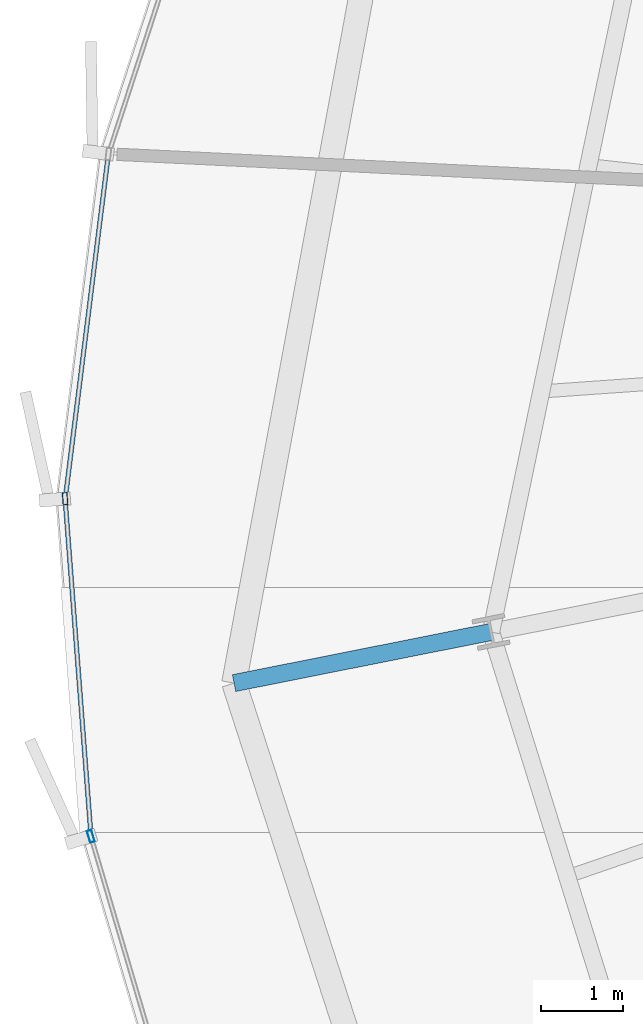
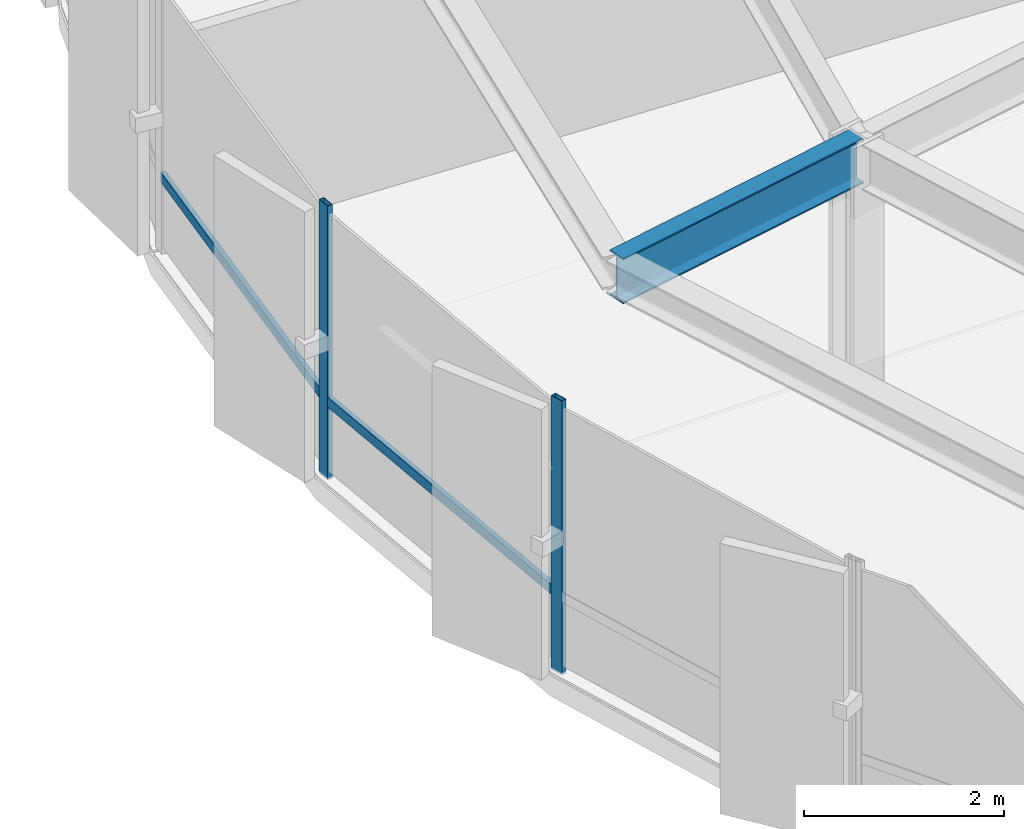
# One storey, part 7 of 34: 4 members, 1 beam, 1 element without a shape of its own.
"""IFC4 building model written with IfcOpenShell, lengths in metres."""

from ifc_helpers import new_model, si_unit, direction, frame, origin, origin_2d, place, context, subcontext, project, spatial, hollow_rectangle, i_section, extrude, source, transform, mapped, material, layer, layer_set, material_profile, profile_set, type_object, element, aggregate, save


model = new_model("IFC4")

# Units and contexts
model_context = context("Model", 3, precision=1e-05, world=origin(), true_north=direction((0.0, 1.0)))
body_context = subcontext(model_context, "Body", "Model", "MODEL_VIEW")
ifc_project = project(units=[si_unit("LENGTHUNIT", "METRE"), si_unit("AREAUNIT", "SQUARE_METRE"), si_unit("VOLUMEUNIT", "CUBIC_METRE"), si_unit("PLANEANGLEUNIT", "RADIAN"), si_unit("MASSUNIT", "GRAM", prefix="KILO"), si_unit("THERMODYNAMICTEMPERATUREUNIT", "KELVIN")], contexts=[model_context])

# Site, building, storey
site_placement = place(None, origin())
site = spatial("IfcSite", under=ifc_project, at=site_placement, CompositionType="ELEMENT")
building_placement = place(site_placement, origin())
building = spatial("IfcBuilding", under=site, at=building_placement, Name="Kethvar Cultural Tower", CompositionType="ELEMENT")
storey_placement = place(building_placement, frame((0.0, 0.0, 125.199951171875)))
storey = spatial("IfcBuildingStorey", under=building, at=storey_placement, Name="L31", CompositionType="ELEMENT", Elevation=125.199951171875)

# Beam
ifc_material_1 = material(Name="Steel S355J2", Category="steel")
ifc_material_profile_1 = material_profile(ifc_material_1, i_section(OverallWidth=0.2099609375, OverallDepth=0.550048828125, WebThickness=0.010986328125, FlangeThickness=0.01708984375, FilletRadius=0.02392578125, at=origin_2d()), Name="Steel S355J2 — IPE550")
ifc_profile_set_1 = profile_set([ifc_material_profile_1], Name="Steel S355J2 — IPE550")
beam_type = type_object("IfcBeamType", Name="BM-IPE550", PredefinedType="BEAM", material=ifc_profile_set_1)
shared_shape_1 = source(origin(), body_context, "Body", "SweptSolid", [
    extrude(i_section(OverallWidth=0.2099609375, OverallDepth=0.550048828125, WebThickness=0.010986328125, FlangeThickness=0.01708984375, FilletRadius=0.02392578125, at=origin_2d()), origin(), (0.0, 0.0, 1.0), 3.199951171875),
])
beam_placement = place(storey_placement, frame((24.185302734375, 23.3017578125, 3.072998046875), z_axis=(-0.980785550224, -0.195088965533, 0.0), x_axis=(0.195088965533, -0.980785550224, 0.0)))
element("IfcBeam", 1, at=beam_placement, inside=storey, type_object=beam_type, Name="L31 Perimeter Cantilever Beam RC-09", PredefinedType="BEAM", context=body_context, shape_type="MappedRepresentation", body=[
    mapped(shared_shape_1, transform((0.0, 0.0, 0.0), scale=1.0)),
])

# Curtain wall, members
ifc_material_2 = material(Name="Aluminium 6063-T6", Category="aluminium")
ifc_layer = layer(ifc_material_2, 0.179931640625, Name="Aluminium 6063-T6", Category="aluminium")
ifc_layer_set = layer_set([ifc_layer], Name="Aluminium 6063-T6 (180 mm)")
curtain_wall_type = type_object("IfcCurtainWallType", Name="CW-SYS-03-Z2", PredefinedType="NOTDEFINED", material=ifc_layer_set)
curtain_wall_placement = place(storey_placement, origin())
curtain_wall = element("IfcCurtainWall", 2, at=curtain_wall_placement, inside=storey, type_object=curtain_wall_type, Name="L31 Curtain Wall Run 03", PredefinedType="NOTDEFINED")
ifc_material_profile_2 = material_profile(ifc_material_2, hollow_rectangle(XDim=0.06005859375, YDim=0.14990234375, WallThickness=0.0048828125, at=origin_2d()), Name="Aluminium 6063-T6 — RHS150x60x5")
ifc_profile_set_2 = profile_set([ifc_material_profile_2], Name="Aluminium 6063-T6 — RHS150x60x5")
member_type_1 = type_object("IfcMemberType", Name="CW-SYS-03-Z2-MUL", PredefinedType="MULLION", material=ifc_profile_set_2)
shared_shape_2 = source(origin(), body_context, "Body", "SweptSolid", [
    extrude(hollow_rectangle(XDim=0.06005859375, YDim=0.14990234375, WallThickness=0.0048828125, at=origin_2d()), origin(), (0.0, 0.0, 1.0), 3.35009765625),
])
member_1_placement = place(storey_placement, frame((18.98388671875, 24.92919921875, 0.0), z_axis=(0.0, 0.0, 1.0), x_axis=(0.997052752227, 0.076719028127, 0.0)))
member_1 = element("IfcMember", 3, at=member_1_placement, type_object=member_type_1, Name="CW-L31-R03 Mullion 5", PredefinedType="MULLION", context=body_context, shape_type="MappedRepresentation", body=[
    mapped(shared_shape_2, transform((0.0, 0.0, 0.0), scale=1.0)),
])
member_2_placement = place(storey_placement, frame((19.29833984375, 20.80712890625, 0.0), z_axis=(0.0, 0.0, 1.0), x_axis=(0.959274542885, 0.28247539959, 0.0)))
member_2 = element("IfcMember", 4, at=member_2_placement, type_object=member_type_1, Name="CW-L31-R03 Mullion 6", PredefinedType="MULLION", context=body_context, shape_type="MappedRepresentation", body=[
    mapped(shared_shape_2, transform((0.0, 0.0, 0.0), scale=1.0)),
])
ifc_material_profile_3 = material_profile(ifc_material_2, hollow_rectangle(XDim=0.054931640625, YDim=0.1201171875, WallThickness=0.00390625, at=origin_2d()), Name="Aluminium 6063-T6 — RHS120x55x4")
ifc_profile_set_3 = profile_set([ifc_material_profile_3], Name="Aluminium 6063-T6 — RHS120x55x4")
member_type_2 = type_object("IfcMemberType", Name="CW-SYS-03-Z2-TRN", PredefinedType="USERDEFINED", material=ifc_profile_set_3)
shared_shape_3 = source(origin(), body_context, "Body", "SweptSolid", [
    extrude(hollow_rectangle(XDim=0.054931640625, YDim=0.1201171875, WallThickness=0.00390625, at=origin_2d()), origin(), (0.0, 0.0, 1.0), 4.179931640625),
])
member_3_placement = place(storey_placement, frame((19.507568359375, 29.096435546875, 0.949951171875), z_axis=(-0.124178510418, -0.992259894156, 0.0), x_axis=(0.992259894156, -0.124178510418, 0.0)))
member_3 = element("IfcMember", 5, at=member_3_placement, type_object=member_type_2, Name="CW-L31-R03 Transom 4", ObjectType="TRANSOM", PredefinedType="USERDEFINED", context=body_context, shape_type="MappedRepresentation", body=[
    mapped(shared_shape_3, transform((0.0, 0.0, 0.0), scale=1.0)),
])
shared_shape_4 = source(origin(), body_context, "Body", "SweptSolid", [
    extrude(hollow_rectangle(XDim=0.054931640625, YDim=0.1201171875, WallThickness=0.00390625, at=origin_2d()), origin(), (0.0, 0.0, 1.0), 4.071533203125),
])
member_4_placement = place(storey_placement, frame((18.987060546875, 24.88623046875, 0.949951171875), z_axis=(0.076691913524, -0.997054838211, 0.0), x_axis=(0.997054838211, 0.076691913524, 0.0)))
member_4 = element("IfcMember", 6, at=member_4_placement, type_object=member_type_2, Name="CW-L31-R03 Transom 5", ObjectType="TRANSOM", PredefinedType="USERDEFINED", context=body_context, shape_type="MappedRepresentation", body=[
    mapped(shared_shape_4, transform((0.0, 0.0, 0.0), scale=1.0)),
])
aggregate(curtain_wall, [member_1, member_2, member_3, member_4])

save(model, "model.ifc")
